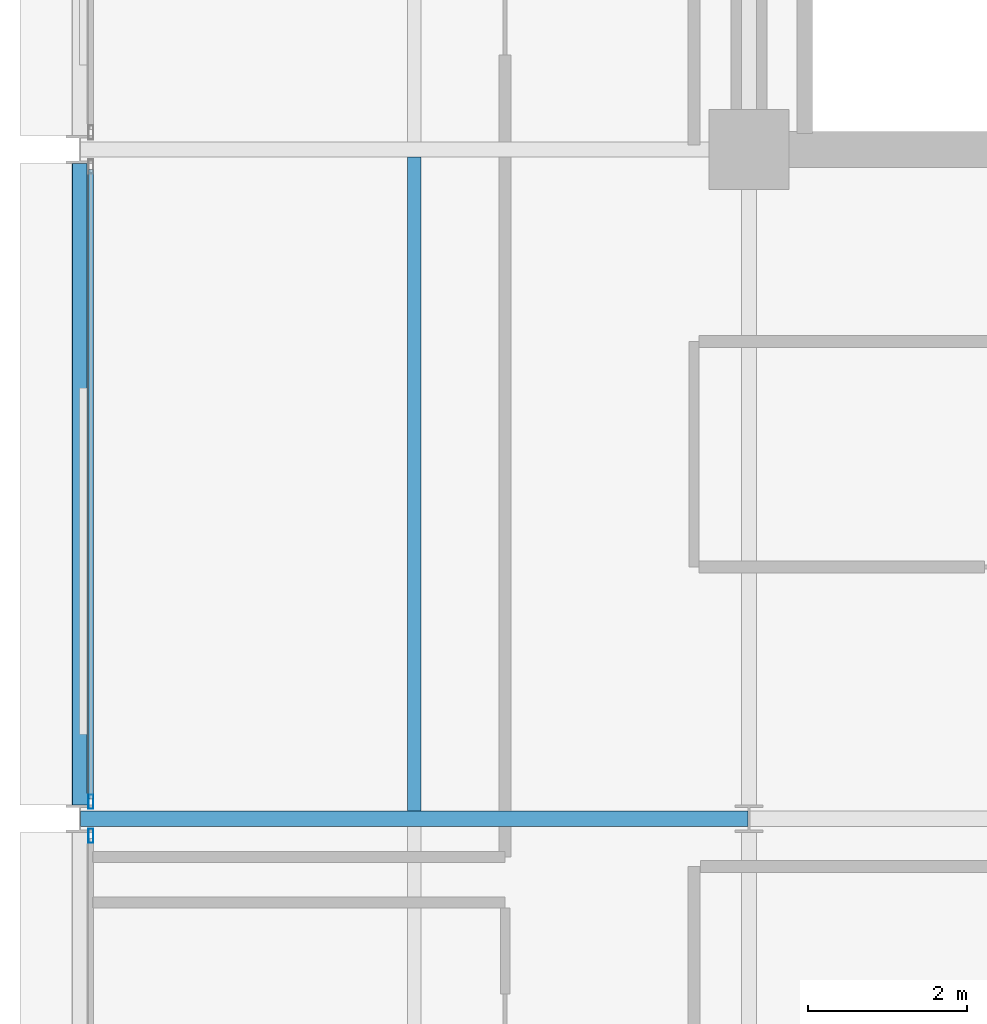
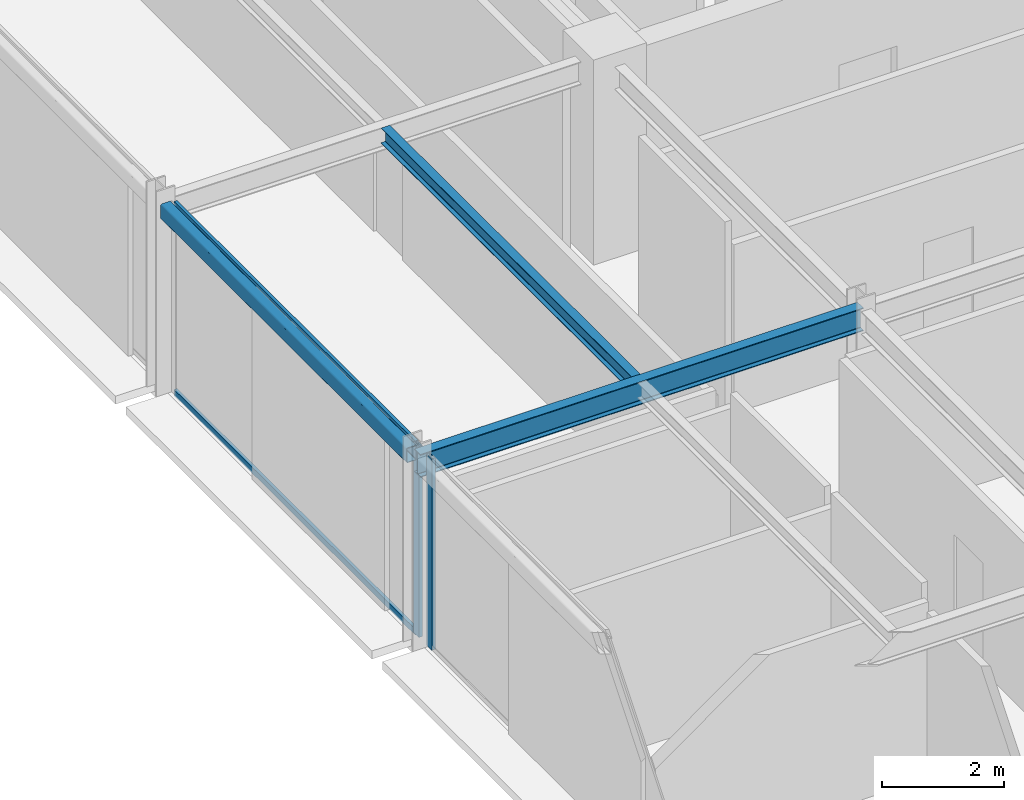
# One storey, part 8 of 26: 4 members, 3 beams, 2 elements without a shape of their own.
"""IFC4 building model written with IfcOpenShell, lengths in metres."""

from ifc_helpers import new_model, si_unit, direction, frame, origin, origin_2d, place, context, subcontext, project, spatial, hollow_rectangle, i_section, extrude, material, layer, layer_set, material_profile, profile_set, type_object, element, aggregate, save


model = new_model("IFC4")

# Units and contexts
model_context = context("Model", 3, precision=1e-05, world=origin(), true_north=direction((0.0, 1.0)))
body_context = subcontext(model_context, "Body", "Model", "MODEL_VIEW")
ifc_project = project(units=[si_unit("LENGTHUNIT", "METRE"), si_unit("AREAUNIT", "SQUARE_METRE"), si_unit("VOLUMEUNIT", "CUBIC_METRE"), si_unit("PLANEANGLEUNIT", "RADIAN"), si_unit("MASSUNIT", "GRAM", prefix="KILO")], contexts=[model_context])

# Site, building, storey
site_placement = place(None, origin())
site = spatial("IfcSite", under=ifc_project, at=site_placement, CompositionType="ELEMENT")
building_placement = place(site_placement, origin())
building = spatial("IfcBuilding", under=site, at=building_placement, Name="Nerrivon Quay Data Exchange", CompositionType="ELEMENT")
storey_placement = place(building_placement, frame((0.0, 0.0, 228.800048828125)))
storey = spatial("IfcBuildingStorey", under=building, at=storey_placement, Name="L54", CompositionType="ELEMENT", Elevation=228.800048828125)

# Beams
ifc_material_1 = material(Name="Steel Grade 350", Category="steel")
ifc_material_profile_1 = material_profile(ifc_material_1, i_section(OverallWidth=0.19091796875, OverallDepth=0.4599609375, WebThickness=0.010009765625, FlangeThickness=0.01611328125, FilletRadius=0.011474609375, at=origin_2d()), Name="460UB82.1")
ifc_profile_set_1 = profile_set([ifc_material_profile_1], Name="Steel Grade 350")
beam_type_1 = type_object("IfcBeamType", Name="BM-G5-460UB82", PredefinedType="BEAM", material=ifc_profile_set_1)
beam_1_placement = place(storey_placement, frame((0.010009765625, 16.800048828125, 3.594970703125), z_axis=(1.0, 0.0, 0.0), x_axis=(0.0, 1.0, 0.0)))
element("IfcBeam", 1, at=beam_1_placement, inside=storey, type_object=beam_type_1, Name="L54 EW Girder Y=16.8 (0.0..8.4)", PredefinedType="BEAM", context=body_context, shape_type="SweptSolid", body=[
    extrude(i_section(OverallWidth=0.19091796875, OverallDepth=0.4599609375, WebThickness=0.010009765625, FlangeThickness=0.01611328125, FilletRadius=0.011474609375, at=origin_2d()), origin(), (0.0, 0.0, 1.0), 8.3798828125),
])
ifc_material_profile_2 = material_profile(ifc_material_1, i_section(OverallWidth=0.166015625, OverallDepth=0.306884765625, WebThickness=0.006591796875, FlangeThickness=0.01171875, FilletRadius=0.011474609375, at=origin_2d()), Name="310UB46.2")
ifc_profile_set_2 = profile_set([ifc_material_profile_2], Name="Steel Grade 350")
beam_type_2 = type_object("IfcBeamType", Name="BM-J5-310UB46", PredefinedType="JOIST", material=ifc_profile_set_2)
beam_2_placement = place(storey_placement, frame((4.199951171875, 16.8955078125, 3.67138671875), z_axis=(0.0, 1.0, 0.0), x_axis=(-1.0, 0.0, 0.0)))
element("IfcBeam", 2, at=beam_2_placement, inside=storey, type_object=beam_type_2, Name="L54 Secondary Joist X=4.2 (16.8..25.2)", PredefinedType="JOIST", context=body_context, shape_type="SweptSolid", body=[
    extrude(i_section(OverallWidth=0.166015625, OverallDepth=0.306884765625, WebThickness=0.006591796875, FlangeThickness=0.01171875, FilletRadius=0.011474609375, at=origin_2d()), origin(), (0.0, 0.0, 1.0), 8.208984375),
])
ifc_material_2 = material(Name="Steel Grade C350L0 (350 MPa)", Category="steel")
ifc_material_profile_3 = material_profile(ifc_material_2, hollow_rectangle(XDim=0.199951171875, YDim=0.300048828125, WallThickness=0.012451171875, InnerFilletRadius=0.018798828125, OuterFilletRadius=0.03125, at=origin_2d()), Name="300x200x12.5RHS")
ifc_profile_set_3 = profile_set([ifc_material_profile_3], Name="Steel Grade C350L0 (350 MPa)")
beam_type_3 = type_object("IfcBeamType", Name="BM-SP3-300x200RHS", PredefinedType="SPANDREL", material=ifc_profile_set_3)
beam_3_placement = place(storey_placement, frame((0.0, 16.97509765625, 3.675048828125), z_axis=(0.0, 1.0, 0.0), x_axis=(-1.0, 0.0, 0.0)))
element("IfcBeam", 3, at=beam_3_placement, inside=storey, type_object=beam_type_3, Name="L54 NS Girder X=0.0 (16.8..25.2)", PredefinedType="SPANDREL", context=body_context, shape_type="SweptSolid", body=[
    extrude(hollow_rectangle(XDim=0.199951171875, YDim=0.300048828125, WallThickness=0.012451171875, InnerFilletRadius=0.018798828125, OuterFilletRadius=0.03125, at=origin_2d()), origin(), (0.0, 0.0, 1.0), 8.0498046875),
])

# Curtain wall, member
ifc_material_3 = material(Name="Anodised aluminium 6063-T6", Category="aluminium")
ifc_layer = layer(ifc_material_3, 0.195068359375)
ifc_layer_set = layer_set([ifc_layer], Name="Anodised aluminium 6063-T6")
curtain_wall_type = type_object("IfcCurtainWallType", Name="CW-SYS-06", PredefinedType="NOTDEFINED", material=ifc_layer_set)
curtain_wall_1_placement = place(storey_placement, origin())
curtain_wall_1 = element("IfcCurtainWall", 4, at=curtain_wall_1_placement, inside=storey, type_object=curtain_wall_type, Name="L54 Unitised Curtain Wall 12", PredefinedType="NOTDEFINED")
ifc_material_profile_4 = material_profile(ifc_material_3, hollow_rectangle(XDim=0.06494140625, YDim=0.179931640625, WallThickness=0.00341796875, at=origin_2d()), Name="ALU-MULL-180x65")
ifc_profile_set_4 = profile_set([ifc_material_profile_4], Name="Anodised aluminium 6063-T6")
member_type_1 = type_object("IfcMemberType", Name="CWM-180x65", PredefinedType="MULLION", material=ifc_profile_set_4)
member_1_placement = place(storey_placement, frame((0.139892578125, 16.58740234375, 0.0), z_axis=(0.0, 0.0, 1.0), x_axis=(-1.0, 0.0, 0.0)))
member_1 = element("IfcMember", 5, at=member_1_placement, type_object=member_type_1, Name="CW06 mullion 2", PredefinedType="MULLION", context=body_context, shape_type="SweptSolid", body=[
    extrude(hollow_rectangle(XDim=0.06494140625, YDim=0.179931640625, WallThickness=0.00341796875, at=origin_2d()), origin(), (0.0, 0.0, 1.0), 3.824951171875),
])
aggregate(curtain_wall_1, [member_1])

# Curtain wall, members
curtain_wall_2_placement = place(storey_placement, origin())
curtain_wall_2 = element("IfcCurtainWall", 6, at=curtain_wall_2_placement, inside=storey, type_object=curtain_wall_type, Name="L54 Unitised Curtain Wall 13", PredefinedType="NOTDEFINED")
member_2_placement = place(storey_placement, frame((0.139892578125, 17.012451171875, 0.0), z_axis=(0.0, 0.0, 1.0), x_axis=(-1.0, 0.0, 0.0)))
member_2 = element("IfcMember", 7, at=member_2_placement, type_object=member_type_1, Name="CW06 mullion 1", PredefinedType="MULLION", context=body_context, shape_type="SweptSolid", body=[
    extrude(hollow_rectangle(XDim=0.06494140625, YDim=0.179931640625, WallThickness=0.00341796875, at=origin_2d()), origin(), (0.0, 0.0, 1.0), 3.824951171875),
])
ifc_material_profile_5 = material_profile(ifc_material_3, hollow_rectangle(XDim=0.06005859375, YDim=0.1201171875, WallThickness=0.003173828125, at=origin_2d()), Name="ALU-TRAN-120x60")
ifc_profile_set_5 = profile_set([ifc_material_profile_5], Name="Anodised aluminium 6063-T6")
member_type_2 = type_object("IfcMemberType", Name="CWT-120x60", PredefinedType="USERDEFINED", material=ifc_profile_set_5)
member_3_placement = place(storey_placement, frame((0.139892578125, 17.050048828125, 0.032470703125), z_axis=(0.0, 1.0, 0.0), x_axis=(-1.0, 0.0, 0.0)))
member_3 = element("IfcMember", 8, at=member_3_placement, type_object=member_type_2, Name="CW06 transom 1.1", ObjectType="TRANSOM", PredefinedType="USERDEFINED", context=body_context, shape_type="SweptSolid", body=[
    extrude(hollow_rectangle(XDim=0.06005859375, YDim=0.1201171875, WallThickness=0.003173828125, at=origin_2d()), origin(), (0.0, 0.0, 1.0), 7.89990234375),
])
member_4_placement = place(storey_placement, frame((0.139892578125, 17.050048828125, 3.79248046875), z_axis=(0.0, 1.0, 0.0), x_axis=(-1.0, 0.0, 0.0)))
member_4 = element("IfcMember", 9, at=member_4_placement, type_object=member_type_2, Name="CW06 transom 1.2", ObjectType="TRANSOM", PredefinedType="USERDEFINED", context=body_context, shape_type="SweptSolid", body=[
    extrude(hollow_rectangle(XDim=0.06005859375, YDim=0.1201171875, WallThickness=0.003173828125, at=origin_2d()), origin(), (0.0, 0.0, 1.0), 7.89990234375),
])
aggregate(curtain_wall_2, [member_2, member_3, member_4])

save(model, "model.ifc")
